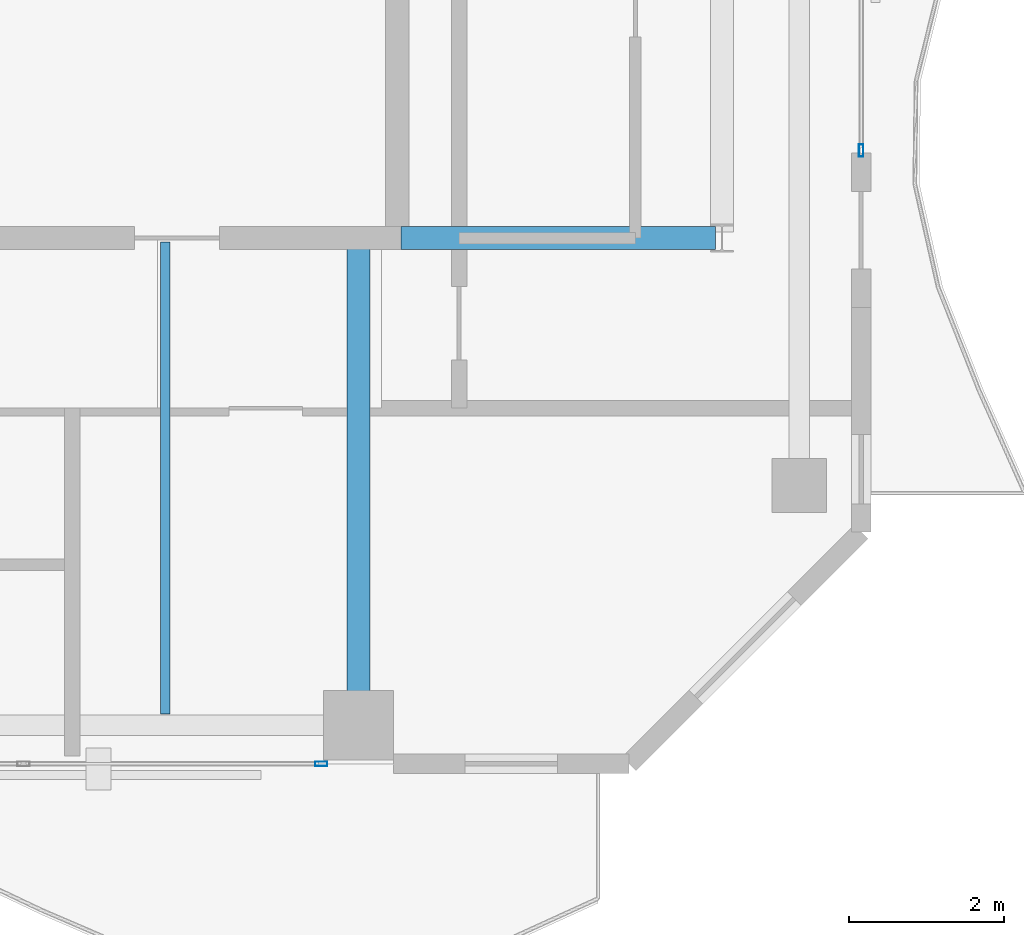
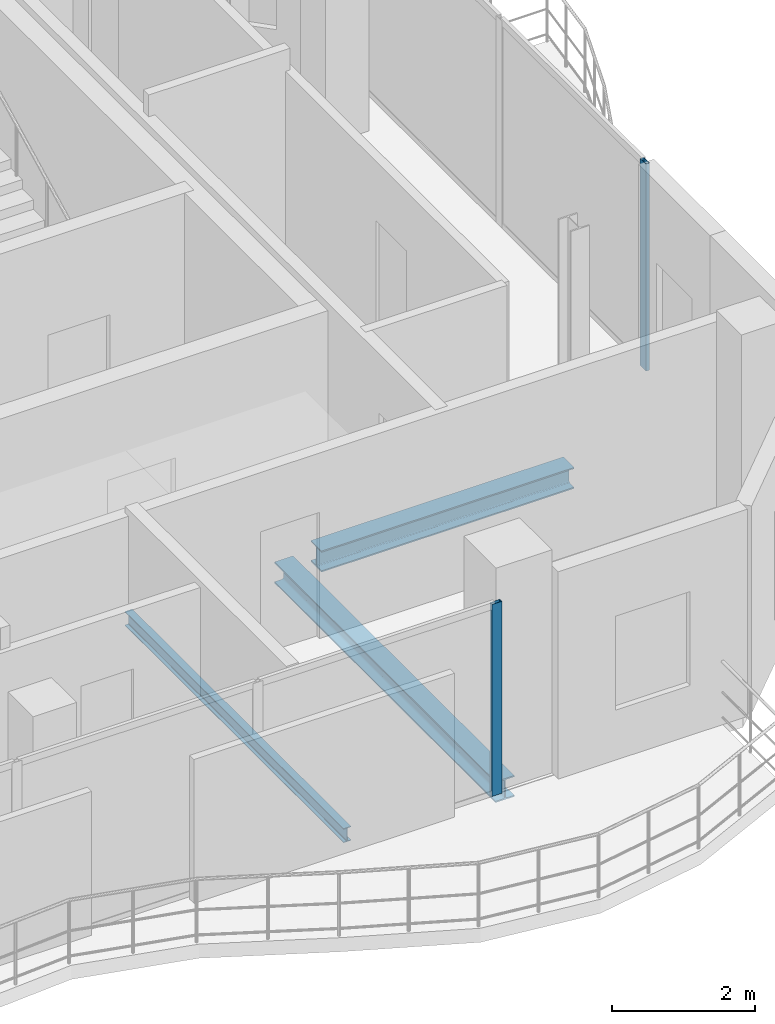
# One storey, part 14 of 23: 3 beams, 2 members, 2 elements without a shape of their own.
"""IFC4 building model written with IfcOpenShell, lengths in metres."""

from ifc_helpers import new_model, si_unit, direction, frame, origin, origin_2d, place, context, subcontext, project, spatial, hollow_rectangle, i_section, extrude, material, layer, layer_set, material_profile, profile_set, type_object, element, aggregate, save


model = new_model("IFC4")

# Units and contexts
model_context = context("Model", 3, precision=1e-05, world=origin(), true_north=direction((0.0, 1.0)))
body_context = subcontext(model_context, "Body", "Model", "MODEL_VIEW")
ifc_project = project(units=[si_unit("LENGTHUNIT", "METRE"), si_unit("AREAUNIT", "SQUARE_METRE"), si_unit("VOLUMEUNIT", "CUBIC_METRE"), si_unit("PLANEANGLEUNIT", "RADIAN"), si_unit("MASSUNIT", "GRAM", prefix="KILO")], contexts=[model_context])

# Site, building, storey
site_placement = place(None, origin())
site = spatial("IfcSite", under=ifc_project, at=site_placement, CompositionType="ELEMENT")
building_placement = place(site_placement, origin())
building = spatial("IfcBuilding", under=site, at=building_placement, Name="Catumbela Crestline Tower", CompositionType="ELEMENT")
storey_placement = place(building_placement, frame((0.0, 0.0, 248.8)))
storey = spatial("IfcBuildingStorey", under=building, at=storey_placement, Name="L64", CompositionType="ELEMENT", Elevation=248.8)

# Beams
ifc_material_1 = material(Name="Structural steel S355J2", Category="steel")
ifc_material_profile_1 = material_profile(ifc_material_1, i_section(OverallWidth=0.3, OverallDepth=0.36, WebThickness=0.0125, FlangeThickness=0.0225, FilletRadius=0.027, at=origin_2d()), Name="HEB 360")
ifc_profile_set_1 = profile_set([ifc_material_profile_1], Name="Structural steel S355J2")
beam_type_1 = type_object("IfcBeamType", Name="BG-HEB360", PredefinedType="BEAM", material=ifc_profile_set_1)
beam_1_placement = place(storey_placement, frame((40.05, 30.8, -0.44), z_axis=(1.0, 0.0, 0.0), x_axis=(0.0, 1.0, 0.0)))
element("IfcBeam", 1, at=beam_1_placement, inside=storey, type_object=beam_type_1, Name="L64 Beam BM-L64-M08", PredefinedType="BEAM", context=body_context, shape_type="SweptSolid", body=[
    extrude(i_section(OverallWidth=0.3, OverallDepth=0.36, WebThickness=0.0125, FlangeThickness=0.0225, FilletRadius=0.027, at=origin_2d()), origin(), (0.0, 0.0, 1.0), 4.07),
])
beam_2_placement = place(storey_placement, frame((39.5, 24.58, -0.44), z_axis=(0.0, 1.0, 0.0), x_axis=(-1.0, 0.0, 0.0)))
element("IfcBeam", 2, at=beam_2_placement, inside=storey, type_object=beam_type_1, Name="L64 Beam BM-L64-SNS18", PredefinedType="BEAM", context=body_context, shape_type="SweptSolid", body=[
    extrude(i_section(OverallWidth=0.3, OverallDepth=0.36, WebThickness=0.0125, FlangeThickness=0.0225, FilletRadius=0.027, at=origin_2d()), origin(), (0.0, 0.0, 1.0), 6.17),
])
ifc_material_profile_2 = material_profile(ifc_material_1, i_section(OverallWidth=0.12, OverallDepth=0.24, WebThickness=0.0062, FlangeThickness=0.0098, FilletRadius=0.015, at=origin_2d()), Name="IPE 240")
ifc_profile_set_2 = profile_set([ifc_material_profile_2], Name="Structural steel S355J2")
beam_type_2 = type_object("IfcBeamType", Name="BJ-IPE240", PredefinedType="JOIST", material=ifc_profile_set_2)
beam_3_placement = place(storey_placement, frame((37.0, 24.647, -0.38), z_axis=(0.0, 1.0, 0.0), x_axis=(-1.0, 0.0, 0.0)))
element("IfcBeam", 3, at=beam_3_placement, inside=storey, type_object=beam_type_2, Name="L64 Joist JS-L64-SP26", PredefinedType="JOIST", context=body_context, shape_type="SweptSolid", body=[
    extrude(i_section(OverallWidth=0.12, OverallDepth=0.24, WebThickness=0.0062, FlangeThickness=0.0098, FilletRadius=0.015, at=origin_2d()), origin(), (0.0, 0.0, 1.0), 6.103),
])

# Curtain wall, member
ifc_material_2 = material(Name="Aluminium alloy AW-6060-T66", Category="aluminium")
ifc_layer = layer(ifc_material_2, 0.18, Name="Aluminium alloy AW-6060-T66")
ifc_layer_set = layer_set([ifc_layer], Name="Aluminium alloy AW-6060-T66")
curtain_wall_type = type_object("IfcCurtainWallType", Name="CWU-Z4", PredefinedType="USERDEFINED", material=ifc_layer_set)
curtain_wall_1_placement = place(storey_placement, origin())
curtain_wall_1 = element("IfcCurtainWall", 4, at=curtain_wall_1_placement, inside=storey, type_object=curtain_wall_type, Name="L64 Unitised Curtain Wall CW-L64-E3S2", ObjectType="UNITISED", PredefinedType="USERDEFINED")
ifc_material_profile_3 = material_profile(ifc_material_2, hollow_rectangle(XDim=0.06, YDim=0.16, WallThickness=0.004, at=origin_2d()), Name="ALU 160x60x4")
ifc_profile_set_3 = profile_set([ifc_material_profile_3], Name="Aluminium alloy AW-6060-T66")
member_type = type_object("IfcMemberType", Name="MUL-160X60", PredefinedType="MULLION", material=ifc_profile_set_3)
member_1_placement = place(storey_placement, frame((39.0175, 24.0, 0.0), z_axis=(0.0, 0.0, 1.0), x_axis=(0.0, 1.0, 0.0)))
member_1 = element("IfcMember", 5, at=member_1_placement, type_object=member_type, Name="CWU-Z4 mullion 4", PredefinedType="MULLION", context=body_context, shape_type="SweptSolid", body=[
    extrude(hollow_rectangle(XDim=0.06, YDim=0.16, WallThickness=0.004, at=origin_2d()), origin(), (0.0, 0.0, 1.0), 3.27),
])
aggregate(curtain_wall_1, [member_1])

curtain_wall_2_placement = place(storey_placement, origin())
curtain_wall_2 = element("IfcCurtainWall", 6, at=curtain_wall_2_placement, inside=storey, type_object=curtain_wall_type, Name="L64 Unitised Curtain Wall CW-L64-E5S2", ObjectType="UNITISED", PredefinedType="USERDEFINED")
member_2_placement = place(storey_placement, frame((46.0, 31.9325, 0.0), z_axis=(0.0, 0.0, 1.0), x_axis=(-1.0, 0.0, 0.0)))
member_2 = element("IfcMember", 7, at=member_2_placement, type_object=member_type, Name="CWU-Z4 mullion 1", PredefinedType="MULLION", context=body_context, shape_type="SweptSolid", body=[
    extrude(hollow_rectangle(XDim=0.06, YDim=0.16, WallThickness=0.004, at=origin_2d()), origin(), (0.0, 0.0, 1.0), 3.53),
])
aggregate(curtain_wall_2, [member_2])

save(model, "model.ifc")
